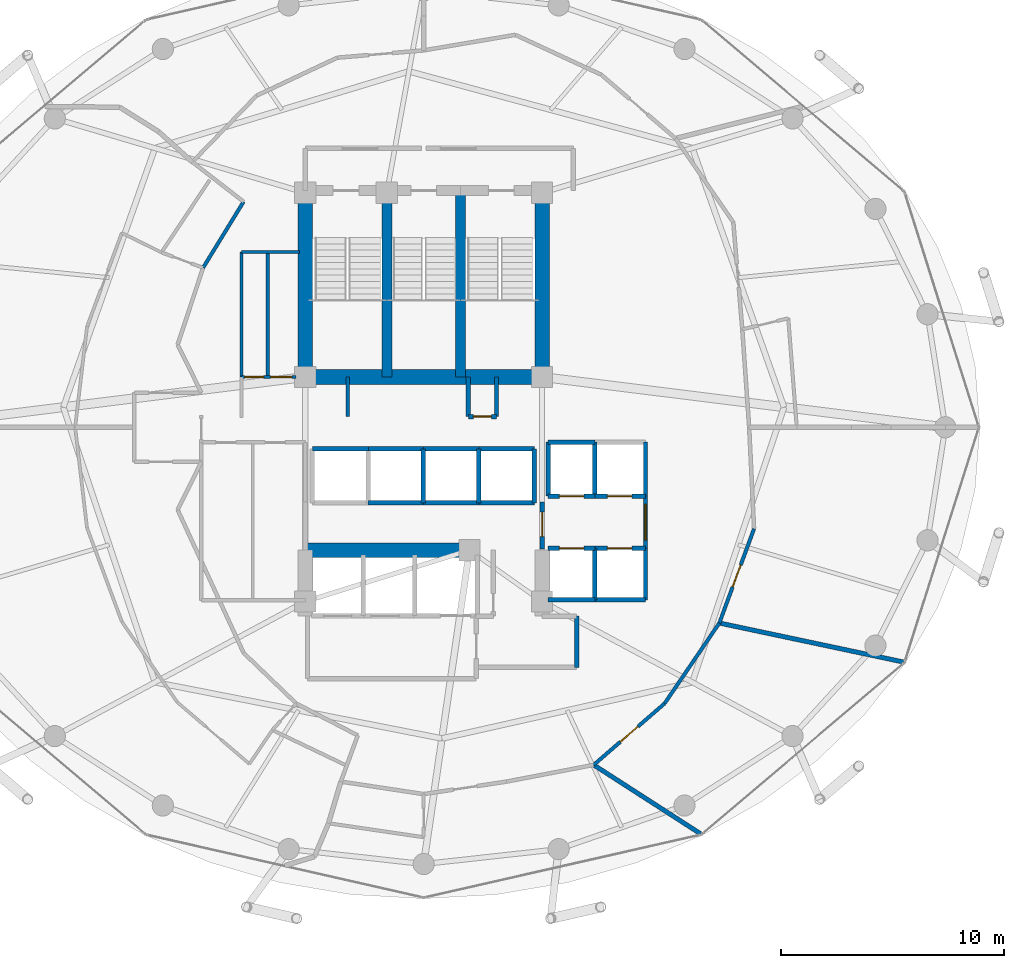
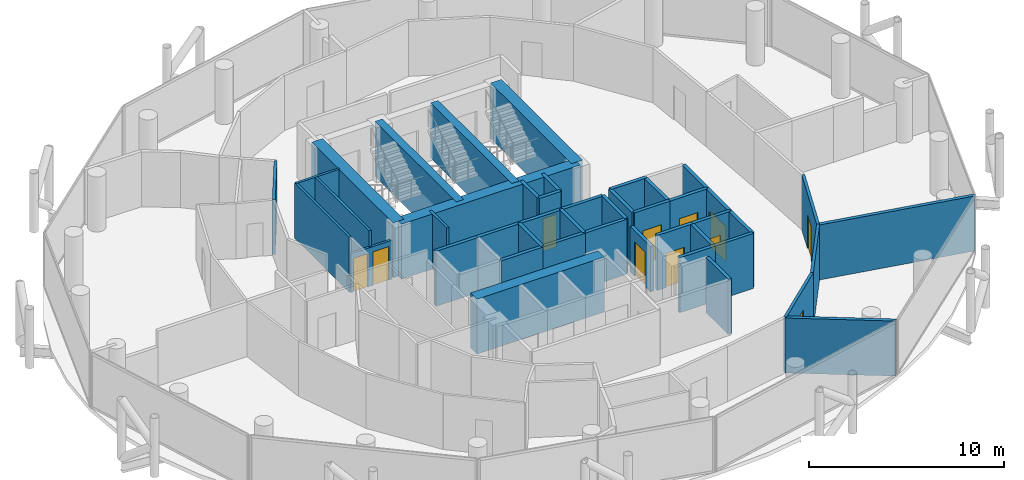
# One storey, part 23 of 26: 45 walls, 11 doors, 11 openings.
"""IFC4 building model written with IfcOpenShell, lengths in metres."""

from ifc_helpers import new_model, si_unit, direction, frame, frame_2d, origin, place, context, subcontext, project, spatial, rectangle, extrude, material, layer, layer_set, type_object, element, fill, save


model = new_model("IFC4")

# Units and contexts
model_context = context("Model", 3, precision=1e-05, world=origin(), true_north=direction((0.0, 1.0)))
body_context = subcontext(model_context, "Body", "Model", "MODEL_VIEW")
ifc_project = project(units=[si_unit("LENGTHUNIT", "METRE"), si_unit("AREAUNIT", "SQUARE_METRE"), si_unit("VOLUMEUNIT", "CUBIC_METRE"), si_unit("PLANEANGLEUNIT", "RADIAN"), si_unit("MASSUNIT", "GRAM", prefix="KILO")], contexts=[model_context])

# Site, building, storey
site_placement = place(None, origin())
site = spatial("IfcSite", under=ifc_project, at=site_placement, CompositionType="ELEMENT")
building_placement = place(site_placement, origin())
building = spatial("IfcBuilding", under=site, at=building_placement, Name="Nuhasar Tower", CompositionType="ELEMENT")
storey_placement = place(building_placement, frame((0.0, 0.0, 173.75)))
storey = spatial("IfcBuildingStorey", under=building, at=storey_placement, Name="L42", CompositionType="ELEMENT", Elevation=173.75)

# Walls
ifc_material_1 = material(Name="Concrete C50/60", Category="concrete")
ifc_layer_1 = layer(ifc_material_1, 0.449951171875)
ifc_layer_set_1 = layer_set([ifc_layer_1], Name="Concrete C50/60")
wall_type_1 = type_object("IfcWallType", Name="WL-CORE-450", PredefinedType="SHEAR", material=ifc_layer_set_1)
for number, where, z_axis, x_axis, name in (
    (1, (37.35009765625, 29.050048828125, 0.0), (0.0, 0.0, 1.0), (0.0, 1.0, 0.0), "L42 Stairwell Shear Wall ST01-E"),
    (2, (40.64990234375, 29.050048828125, 0.0), (0.0, 0.0, 1.0), (0.0, 1.0, 0.0), "L42 Stairwell Shear Wall ST03-E"),
):
    element("IfcWall", number, at=place(storey_placement, frame(where, z_axis=z_axis, x_axis=x_axis)), inside=storey, type_object=wall_type_1, Name=name, PredefinedType="SHEAR", context=body_context, shape_type="SweptSolid", body=[
        extrude(rectangle(XDim=8.349853515625, YDim=0.449951171875, at=frame_2d((4.1748046875, 0.0))), origin(), (0.0, 0.0, 1.0), 3.449951171875),
    ])
ifc_material_2 = material(Name="Concrete C65/80", Category="concrete")
ifc_layer_2 = layer(ifc_material_2, 0.64990234375)
ifc_layer_set_2 = layer_set([ifc_layer_2], Name="Concrete C65/80")
wall_type_2 = type_object("IfcWallType", Name="WL-CORE-650", PredefinedType="SHEAR", material=ifc_layer_set_2)
for number, where, z_axis, x_axis, name in (
    (3, (33.699951171875, 29.050048828125, 0.0), (0.0, 0.0, 1.0), (0.0, 1.0, 0.0), "L42 Core Shear Wall CW-NW CW-650"),
    (4, (44.300048828125, 29.050048828125, 0.0), (0.0, 0.0, 1.0), (0.0, 1.0, 0.0), "L42 Core Shear Wall CW-NE CW-650"),
):
    element("IfcWall", number, at=place(storey_placement, frame(where, z_axis=z_axis, x_axis=x_axis)), inside=storey, type_object=wall_type_2, Name=name, PredefinedType="SHEAR", context=body_context, shape_type="SweptSolid", body=[
        extrude(rectangle(XDim=8.349853515625, YDim=0.64990234375, at=frame_2d((4.1748046875, 0.0))), origin(), (0.0, 0.0, 1.0), 3.449951171875),
    ])
wall_1_placement = place(storey_placement, frame((33.699951171875, 29.050048828125, 0.0), z_axis=(0.0, 0.0, 1.0), x_axis=(1.0, 0.0, 0.0)))
element("IfcWall", 5, at=wall_1_placement, inside=storey, type_object=wall_type_2, Name="L42 Core Shear Wall CW-N1 CW-650", PredefinedType="SHEAR", context=body_context, shape_type="SweptSolid", body=[
    extrude(rectangle(XDim=10.60009765625, YDim=0.64990234375, at=frame_2d((5.300048828125, 0.0))), origin(), (0.0, 0.0, 1.0), 3.449951171875),
])
wall_2_placement = place(storey_placement, frame((33.699951171875, 21.300048828125, 0.0), z_axis=(0.0, 0.0, 1.0), x_axis=(1.0, 0.0, 0.0)))
element("IfcWall", 6, at=wall_2_placement, inside=storey, type_object=wall_type_2, Name="L42 Core Shear Wall CW-S1 CW-650", PredefinedType="SHEAR", context=body_context, shape_type="SweptSolid", body=[
    extrude(rectangle(XDim=7.550048828125, YDim=0.64990234375, at=frame_2d((3.77490234375, 0.0))), origin(), (0.0, 0.0, 1.0), 3.449951171875),
])

# Wall, opening, door
ifc_material_3 = material(Name="Gypsum Board", Category="gypsum")
ifc_layer_3 = layer(ifc_material_3, 0.159912109375)
ifc_layer_set_3 = layer_set([ifc_layer_3], Name="Gypsum Board")
wall_type_3 = type_object("IfcWallType", Name="WL-CORR-160", PredefinedType="PARTITIONING", material=ifc_layer_set_3)
wall_3_placement = place(storey_placement, frame((49.782958984375, 14.43505859375, 0.0), z_axis=(0.0, 0.0, 1.0), x_axis=(-0.755896308725, -0.65469135511, 0.0)))
wall_3 = element("IfcWall", 7, at=wall_3_placement, inside=storey, type_object=wall_type_3, Name="L42 Interior Partition CORR-40", PredefinedType="PARTITIONING", context=body_context, shape_type="SweptSolid", body=[
    extrude(rectangle(XDim=4.197509765625, YDim=0.159912109375, at=frame_2d((2.0986328125, 0.0))), origin(), (0.0, 0.0, 1.0), 3.449951171875),
])
opening_1_placement = place(wall_3_placement, frame((1.573974609375, 0.0, 0.0)))
opening_1 = element("IfcOpeningElement", 8, at=opening_1_placement, cuts=wall_3, Name="Opening DU-01", PredefinedType="OPENING", context=body_context, shape_type="SweptSolid", body=[
    extrude(rectangle(XDim=1.050048828125, YDim=2.14990234375, at=frame_2d((0.52490234375, 1.074951171875))), frame((0.0, 0.08984375, 0.0), z_axis=(0.0, -1.0, 0.0), x_axis=(1.0, 0.0, 0.0)), (0.0, 0.0, 1.0), 0.179931640625),
])
ifc_material_4 = material(Name="Timber Oak", Category="wood")
door_type_1 = type_object("IfcDoorType", Name="DR-SUITE-FD60-1050", OperationType="NOTDEFINED", PredefinedType="DOOR", material=ifc_material_4)
door_1_placement = place(opening_1_placement, origin())
door_1 = element("IfcDoor", 9, at=door_1_placement, inside=storey, type_object=door_type_1, Name="L42 Artisan Gift Boutique Entrance Door", OperationType="SINGLE_SWING_RIGHT", OverallHeight=2.14990234375, OverallWidth=1.050048828125, PredefinedType="DOOR", context=body_context, shape_type="SweptSolid", body=[
    extrude(rectangle(XDim=1.050048828125, YDim=2.14990234375, at=frame_2d((0.52490234375, 1.074951171875))), frame((0.0, 0.02490234375, 0.0), z_axis=(0.0, -1.0, 0.0), x_axis=(1.0, 0.0, 0.0)), (0.0, 0.0, 1.0), 0.050048828125),
])
fill(opening_1, door_1)

# Wall
wall_4_placement = place(storey_placement, frame((49.782958984375, 14.43505859375, 0.0), z_axis=(0.0, 0.0, 1.0), x_axis=(0.562637868463, 0.826703471005, 0.0)))
element("IfcWall", 10, at=wall_4_placement, inside=storey, type_object=wall_type_3, Name="L42 Interior Partition CORR-42", PredefinedType="PARTITIONING", context=body_context, shape_type="SweptSolid", body=[
    extrude(rectangle(XDim=4.3583984375, YDim=0.159912109375, at=frame_2d((2.17919921875, 0.0))), origin(), (0.0, 0.0, 1.0), 3.449951171875),
])

# Wall, opening, door
wall_5_placement = place(storey_placement, frame((53.7880859375, 22.256103515625, 0.0), z_axis=(0.0, 0.0, 1.0), x_axis=(-0.345503984286, -0.938417282898, 0.0)))
wall_5 = element("IfcWall", 11, at=wall_5_placement, inside=storey, type_object=wall_type_3, Name="L42 Interior Partition CORR-44", PredefinedType="PARTITIONING", context=body_context, shape_type="SweptSolid", body=[
    extrude(rectangle(XDim=4.494873046875, YDim=0.159912109375, at=frame_2d((2.24755859375, 0.0))), origin(), (0.0, 0.0, 1.0), 3.449951171875),
])
opening_2_placement = place(wall_5_placement, frame((1.721923828125, 0.0, 0.0)))
opening_2 = element("IfcOpeningElement", 12, at=opening_2_placement, cuts=wall_5, Name="Opening DU-01", PredefinedType="OPENING", context=body_context, shape_type="SweptSolid", body=[
    extrude(rectangle(XDim=1.050048828125, YDim=2.14990234375, at=frame_2d((0.52490234375, 1.074951171875))), frame((0.0, 0.08984375, 0.0), z_axis=(0.0, -1.0, 0.0), x_axis=(1.0, 0.0, 0.0)), (0.0, 0.0, 1.0), 0.179931640625),
])
door_2_placement = place(opening_2_placement, origin())
door_2 = element("IfcDoor", 13, at=door_2_placement, inside=storey, type_object=door_type_1, Name="L42 Red Sea Pearl Showroom Entrance Door", OperationType="SINGLE_SWING_RIGHT", OverallHeight=2.14990234375, OverallWidth=1.050048828125, PredefinedType="DOOR", context=body_context, shape_type="SweptSolid", body=[
    extrude(rectangle(XDim=1.050048828125, YDim=2.14990234375, at=frame_2d((0.52490234375, 1.074951171875))), frame((0.0, 0.02490234375, 0.0), z_axis=(0.0, -1.0, 0.0), x_axis=(1.0, 0.0, 0.0)), (0.0, 0.0, 1.0), 0.050048828125),
])
fill(opening_2, door_2)

# Wall
wall_6_placement = place(storey_placement, frame((30.93896484375, 36.89697265625, 0.0), z_axis=(0.0, 0.0, 1.0), x_axis=(-0.522486120877, -0.852647789823, 0.0)))
element("IfcWall", 14, at=wall_6_placement, inside=storey, type_object=wall_type_3, Name="L42 Interior Partition HWEST-CORE-N-18", PredefinedType="PARTITIONING", context=body_context, shape_type="SweptSolid", body=[
    extrude(rectangle(XDim=3.468017578125, YDim=0.159912109375, at=frame_2d((1.73388671875, 0.0))), origin(), (0.0, 0.0, 1.0), 3.449951171875),
])

# Wall, opening, door
ifc_material_5 = material(Name="Concrete C45/55", Category="concrete")
ifc_layer_4 = layer(ifc_material_5, 0.199951171875)
ifc_layer_set_4 = layer_set([ifc_layer_4], Name="Concrete C45/55")
wall_type_4 = type_object("IfcWallType", Name="WL-LOBBY-200", PredefinedType="SOLIDWALL", material=ifc_layer_set_4)
wall_7_placement = place(storey_placement, frame((48.929931640625, 21.3798828125, 0.0), z_axis=(0.0, 0.0, 1.0), x_axis=(0.0, 1.0, 0.0)))
wall_7 = element("IfcWall", 15, at=wall_7_placement, inside=storey, type_object=wall_type_4, Name="L42 Interior Partition LLBM-E", PredefinedType="SOLIDWALL", context=body_context, shape_type="SweptSolid", body=[
    extrude(rectangle(XDim=2.340087890625, YDim=0.199951171875, at=frame_2d((1.169921875, 0.0))), origin(), (0.0, 0.0, 1.0), 3.449951171875),
])
opening_3_placement = place(wall_7_placement, frame((0.3701171875, 0.0, 0.0)))
opening_3 = element("IfcOpeningElement", 16, at=opening_3_placement, cuts=wall_7, Name="Opening DC-01", PredefinedType="OPENING", context=body_context, shape_type="SweptSolid", body=[
    extrude(rectangle(XDim=1.60009765625, YDim=2.199951171875, at=frame_2d((0.800048828125, 1.10009765625))), frame((0.0, 0.10986328125, 0.0), z_axis=(0.0, -1.0, 0.0), x_axis=(1.0, 0.0, 0.0)), (0.0, 0.0, 1.0), 0.219970703125),
])
ifc_material_6 = material(Name="Steel S355", Category="steel")
door_type_2 = type_object("IfcDoorType", Name="DR-CORR-FD60-1600", OperationType="DOUBLE_DOOR_SINGLE_SWING", PredefinedType="DOOR", material=ifc_material_6)
door_3_placement = place(opening_3_placement, origin())
door_3 = element("IfcDoor", 17, at=door_3_placement, inside=storey, type_object=door_type_2, Name="L42 Mid-Rise Lift Lobby East Entry", OperationType="DOUBLE_DOOR_SINGLE_SWING", OverallHeight=2.199951171875, OverallWidth=1.60009765625, PredefinedType="DOOR", context=body_context, shape_type="SweptSolid", body=[
    extrude(rectangle(XDim=1.60009765625, YDim=2.199951171875, at=frame_2d((0.800048828125, 1.10009765625))), frame((0.0, 0.02490234375, 0.0), z_axis=(0.0, -1.0, 0.0), x_axis=(1.0, 0.0, 0.0)), (0.0, 0.0, 1.0), 0.050048828125),
])
fill(opening_3, door_3)

wall_8_placement = place(storey_placement, frame((44.300048828125, 21.35009765625, 0.0), z_axis=(0.0, 0.0, 1.0), x_axis=(0.0, 1.0, 0.0)))
wall_8 = element("IfcWall", 18, at=wall_8_placement, inside=storey, type_object=wall_type_4, Name="L42 Interior Partition LLBH-E", PredefinedType="SOLIDWALL", context=body_context, shape_type="SweptSolid", body=[
    extrude(rectangle(XDim=2.099853515625, YDim=0.199951171875, at=frame_2d((1.0498046875, 0.0))), origin(), (0.0, 0.0, 1.0), 2.8349609375),
])
opening_4_placement = place(wall_8_placement, frame((0.550048828125, 0.0, 0.0)))
opening_4 = element("IfcOpeningElement", 19, at=opening_4_placement, cuts=wall_8, Name="Opening DS-02", PredefinedType="OPENING", context=body_context, shape_type="SweptSolid", body=[
    extrude(rectangle(XDim=1.10009765625, YDim=2.14990234375, at=frame_2d((0.550048828125, 1.074951171875))), frame((0.0, 0.10986328125, 0.0), z_axis=(0.0, -1.0, 0.0), x_axis=(1.0, 0.0, 0.0)), (0.0, 0.0, 1.0), 0.219970703125),
])
door_type_3 = type_object("IfcDoorType", Name="DR-FFL-FD120-1100", OperationType="NOTDEFINED", PredefinedType="DOOR", material=ifc_material_6)
door_4_placement = place(opening_4_placement, origin())
door_4 = element("IfcDoor", 20, at=door_4_placement, inside=storey, type_object=door_type_3, Name="L42 High-Rise Lobby East Door", OperationType="SINGLE_SWING_RIGHT", OverallHeight=2.14990234375, OverallWidth=1.10009765625, PredefinedType="DOOR", context=body_context, shape_type="SweptSolid", body=[
    extrude(rectangle(XDim=1.10009765625, YDim=2.14990234375, at=frame_2d((0.550048828125, 1.074951171875))), frame((0.0, 0.02490234375, 0.0), z_axis=(0.0, -1.0, 0.0), x_axis=(1.0, 0.0, 0.0)), (0.0, 0.0, 1.0), 0.050048828125),
])
fill(opening_4, door_4)

# Walls
wall_9_placement = place(storey_placement, frame((45.85009765625, 16.050048828125, 0.0), z_axis=(0.0, 0.0, 1.0), x_axis=(0.0, 1.0, 0.0)))
element("IfcWall", 21, at=wall_9_placement, inside=storey, type_object=wall_type_4, Name="L42 Interior Partition SVLV-E", PredefinedType="SOLIDWALL", context=body_context, shape_type="SweptSolid", body=[
    extrude(rectangle(XDim=2.300048828125, YDim=0.199951171875, at=frame_2d((1.14990234375, 0.0))), origin(), (0.0, 0.0, 1.0), 3.449951171875),
])
ifc_layer_5 = layer(ifc_material_5, 0.199951171875)
ifc_layer_set_5 = layer_set([ifc_layer_5], Name="Concrete C45/55")
wall_type_5 = type_object("IfcWallType", Name="WL-SHAFT-200", PredefinedType="SOLIDWALL", material=ifc_layer_set_5)
for number, where, z_axis, x_axis, name in (
    (22, (41.0, 27.280029296875, 0.0), (0.0, 0.0, 1.0), (0.0, 1.0, 0.0), "L42 Interior Partition RSRN-W"),
    (23, (42.260009765625, 27.280029296875, 0.0), (0.0, 0.0, 1.0), (0.0, 1.0, 0.0), "L42 Interior Partition RSRN-E"),
):
    element("IfcWall", number, at=place(storey_placement, frame(where, z_axis=z_axis, x_axis=x_axis)), inside=storey, type_object=wall_type_5, Name=name, PredefinedType="SOLIDWALL", context=body_context, shape_type="SweptSolid", body=[
        extrude(rectangle(XDim=1.77001953125, YDim=0.199951171875, at=frame_2d((0.885009765625, 0.0))), origin(), (0.0, 0.0, 1.0), 3.449951171875),
    ])

# Wall, opening, door
wall_10_placement = place(storey_placement, frame((41.0, 27.280029296875, 0.0), z_axis=(0.0, 0.0, 1.0), x_axis=(1.0, 0.0, 0.0)))
wall_10 = element("IfcWall", 24, at=wall_10_placement, inside=storey, type_object=wall_type_5, Name="L42 Interior Partition RSRN-S", PredefinedType="SOLIDWALL", context=body_context, shape_type="SweptSolid", body=[
    extrude(rectangle(XDim=1.260009765625, YDim=0.199951171875, at=frame_2d((0.6298828125, 0.0))), origin(), (0.0, 0.0, 1.0), 3.449951171875),
])
opening_5_placement = place(wall_10_placement, frame((0.22998046875, 0.0, 0.0)))
opening_5 = element("IfcOpeningElement", 25, at=opening_5_placement, cuts=wall_10, Name="Opening DM-01", PredefinedType="OPENING", context=body_context, shape_type="SweptSolid", body=[
    extrude(rectangle(XDim=0.800048828125, YDim=2.050048828125, at=frame_2d((0.39990234375, 1.02490234375))), frame((0.0, 0.10986328125, 0.0), z_axis=(0.0, -1.0, 0.0), x_axis=(1.0, 0.0, 0.0)), (0.0, 0.0, 1.0), 0.219970703125),
])
door_type_4 = type_object("IfcDoorType", Name="DR-RISER-FD60-800", OperationType="NOTDEFINED", PredefinedType="DOOR", material=ifc_material_6)
door_5_placement = place(opening_5_placement, origin())
door_5 = element("IfcDoor", 26, at=door_5_placement, inside=storey, type_object=door_type_4, Name="L42 North Smoke Riser Door", OperationType="SINGLE_SWING_RIGHT", OverallHeight=2.050048828125, OverallWidth=0.800048828125, PredefinedType="DOOR", context=body_context, shape_type="SweptSolid", body=[
    extrude(rectangle(XDim=0.800048828125, YDim=2.050048828125, at=frame_2d((0.39990234375, 1.02490234375))), frame((0.0, 0.02490234375, 0.0), z_axis=(0.0, -1.0, 0.0), x_axis=(1.0, 0.0, 0.0)), (0.0, 0.0, 1.0), 0.050048828125),
])
fill(opening_5, door_5)

wall_11_placement = place(storey_placement, frame((44.570068359375, 23.719970703125, 0.0), z_axis=(0.0, 0.0, 1.0), x_axis=(1.0, 0.0, 0.0)))
wall_11 = element("IfcWall", 27, at=wall_11_placement, inside=storey, type_object=wall_type_5, Name="L42 Interior Partition SHF-PL-M01-S", PredefinedType="SOLIDWALL", context=body_context, shape_type="SweptSolid", body=[
    extrude(rectangle(XDim=2.10986328125, YDim=0.199951171875, at=frame_2d((1.054931640625, 0.0))), origin(), (0.0, 0.0, 1.0), 3.449951171875),
])
opening_6_placement = place(wall_11_placement, frame((0.5048828125, 0.0, 0.0)))
opening_6 = element("IfcOpeningElement", 28, at=opening_6_placement, cuts=wall_11, Name="Opening LD-M01", PredefinedType="OPENING", context=body_context, shape_type="SweptSolid", body=[
    extrude(rectangle(XDim=1.10009765625, YDim=2.14990234375, at=frame_2d((0.550048828125, 1.074951171875))), frame((0.0, 0.10986328125, 0.0), z_axis=(0.0, -1.0, 0.0), x_axis=(1.0, 0.0, 0.0)), (0.0, 0.0, 1.0), 0.219970703125),
])
ifc_material_7 = material(Name="Stainless Steel 316L", Category="steel")
door_type_5 = type_object("IfcDoorType", Name="LD-PAX-1100", OperationType="DOUBLE_DOOR_SLIDING", PredefinedType="DOOR", material=ifc_material_7)
door_6_placement = place(opening_6_placement, origin())
door_6 = element("IfcDoor", 29, at=door_6_placement, inside=storey, type_object=door_type_5, Name="L42 Lift Landing Door PL-M01", OperationType="DOUBLE_DOOR_SLIDING", OverallHeight=2.14990234375, OverallWidth=1.10009765625, PredefinedType="DOOR", context=body_context, shape_type="SweptSolid", body=[
    extrude(rectangle(XDim=1.10009765625, YDim=2.14990234375, at=frame_2d((0.550048828125, 1.074951171875))), frame((0.0, 0.02490234375, 0.0), z_axis=(0.0, -1.0, 0.0), x_axis=(1.0, 0.0, 0.0)), (0.0, 0.0, 1.0), 0.050048828125),
])
fill(opening_6, door_6)

# Walls
wall_12_placement = place(storey_placement, frame((44.570068359375, 26.1298828125, 0.0), z_axis=(0.0, 0.0, 1.0), x_axis=(1.0, 0.0, 0.0)))
element("IfcWall", 30, at=wall_12_placement, inside=storey, type_object=wall_type_5, Name="L42 Interior Partition SHF-PL-M01-N", PredefinedType="SOLIDWALL", context=body_context, shape_type="SweptSolid", body=[
    extrude(rectangle(XDim=2.10986328125, YDim=0.199951171875, at=frame_2d((1.054931640625, 0.0))), origin(), (0.0, 0.0, 1.0), 3.449951171875),
])
for number, where, z_axis, x_axis, name in (
    (31, (44.570068359375, 23.719970703125, 0.0), (0.0, 0.0, 1.0), (0.0, 1.0, 0.0), "L42 Interior Partition SHF-PL-M01-W"),
    (32, (46.64990234375, 23.719970703125, 0.0), (0.0, 0.0, 1.0), (0.0, 1.0, 0.0), "L42 Interior Partition SHF-PL-M01-E"),
):
    element("IfcWall", number, at=place(storey_placement, frame(where, z_axis=z_axis, x_axis=x_axis)), inside=storey, type_object=wall_type_5, Name=name, PredefinedType="SOLIDWALL", context=body_context, shape_type="SweptSolid", body=[
        extrude(rectangle(XDim=2.409912109375, YDim=0.199951171875, at=frame_2d((1.205078125, 0.0))), origin(), (0.0, 0.0, 1.0), 3.449951171875),
    ])

# Wall, opening, door
wall_13_placement = place(storey_placement, frame((46.6201171875, 23.719970703125, 0.0), z_axis=(0.0, 0.0, 1.0), x_axis=(1.0, 0.0, 0.0)))
wall_13 = element("IfcWall", 33, at=wall_13_placement, inside=storey, type_object=wall_type_5, Name="L42 Interior Partition SHF-PL-M02-S", PredefinedType="SOLIDWALL", context=body_context, shape_type="SweptSolid", body=[
    extrude(rectangle(XDim=2.309814453125, YDim=0.199951171875, at=frame_2d((1.15478515625, 0.0))), origin(), (0.0, 0.0, 1.0), 3.449951171875),
])
opening_7_placement = place(wall_13_placement, frame((0.60498046875, 0.0, 0.0)))
opening_7 = element("IfcOpeningElement", 34, at=opening_7_placement, cuts=wall_13, Name="Opening LD-M02", PredefinedType="OPENING", context=body_context, shape_type="SweptSolid", body=[
    extrude(rectangle(XDim=1.10009765625, YDim=2.14990234375, at=frame_2d((0.550048828125, 1.074951171875))), frame((0.0, 0.10986328125, 0.0), z_axis=(0.0, -1.0, 0.0), x_axis=(1.0, 0.0, 0.0)), (0.0, 0.0, 1.0), 0.219970703125),
])
door_7_placement = place(opening_7_placement, origin())
door_7 = element("IfcDoor", 35, at=door_7_placement, inside=storey, type_object=door_type_5, Name="L42 Lift Landing Door PL-M02", OperationType="DOUBLE_DOOR_SLIDING", OverallHeight=2.14990234375, OverallWidth=1.10009765625, PredefinedType="DOOR", context=body_context, shape_type="SweptSolid", body=[
    extrude(rectangle(XDim=1.10009765625, YDim=2.14990234375, at=frame_2d((0.550048828125, 1.074951171875))), frame((0.0, 0.02490234375, 0.0), z_axis=(0.0, -1.0, 0.0), x_axis=(1.0, 0.0, 0.0)), (0.0, 0.0, 1.0), 0.050048828125),
])
fill(opening_7, door_7)

# Walls
wall_14_placement = place(storey_placement, frame((48.929931640625, 23.719970703125, 0.0), z_axis=(0.0, 0.0, 1.0), x_axis=(0.0, 1.0, 0.0)))
element("IfcWall", 36, at=wall_14_placement, inside=storey, type_object=wall_type_5, Name="L42 Interior Partition SHF-PL-M02-E", PredefinedType="SOLIDWALL", context=body_context, shape_type="SweptSolid", body=[
    extrude(rectangle(XDim=2.409912109375, YDim=0.199951171875, at=frame_2d((1.205078125, 0.0))), origin(), (0.0, 0.0, 1.0), 3.449951171875),
])
wall_15_placement = place(storey_placement, frame((44.570068359375, 19.070068359375, 0.0), z_axis=(0.0, 0.0, 1.0), x_axis=(1.0, 0.0, 0.0)))
element("IfcWall", 37, at=wall_15_placement, inside=storey, type_object=wall_type_5, Name="L42 Interior Partition SHF-PL-M03-S", PredefinedType="SOLIDWALL", context=body_context, shape_type="SweptSolid", body=[
    extrude(rectangle(XDim=2.10986328125, YDim=0.199951171875, at=frame_2d((1.054931640625, 0.0))), origin(), (0.0, 0.0, 1.0), 3.449951171875),
])

# Wall, opening, door
wall_16_placement = place(storey_placement, frame((44.570068359375, 21.3798828125, 0.0), z_axis=(0.0, 0.0, 1.0), x_axis=(1.0, 0.0, 0.0)))
wall_16 = element("IfcWall", 38, at=wall_16_placement, inside=storey, type_object=wall_type_5, Name="L42 Interior Partition SHF-PL-M03-N", PredefinedType="SOLIDWALL", context=body_context, shape_type="SweptSolid", body=[
    extrude(rectangle(XDim=2.10986328125, YDim=0.199951171875, at=frame_2d((1.054931640625, 0.0))), origin(), (0.0, 0.0, 1.0), 3.449951171875),
])
opening_8_placement = place(wall_16_placement, frame((0.5048828125, 0.0, 0.0)))
opening_8 = element("IfcOpeningElement", 39, at=opening_8_placement, cuts=wall_16, Name="Opening LD-M03", PredefinedType="OPENING", context=body_context, shape_type="SweptSolid", body=[
    extrude(rectangle(XDim=1.10009765625, YDim=2.14990234375, at=frame_2d((0.550048828125, 1.074951171875))), frame((0.0, 0.10986328125, 0.0), z_axis=(0.0, -1.0, 0.0), x_axis=(1.0, 0.0, 0.0)), (0.0, 0.0, 1.0), 0.219970703125),
])
door_8_placement = place(opening_8_placement, origin())
door_8 = element("IfcDoor", 40, at=door_8_placement, inside=storey, type_object=door_type_5, Name="L42 Lift Landing Door PL-M03", OperationType="DOUBLE_DOOR_SLIDING", OverallHeight=2.14990234375, OverallWidth=1.10009765625, PredefinedType="DOOR", context=body_context, shape_type="SweptSolid", body=[
    extrude(rectangle(XDim=1.10009765625, YDim=2.14990234375, at=frame_2d((0.550048828125, 1.074951171875))), frame((0.0, 0.02490234375, 0.0), z_axis=(0.0, -1.0, 0.0), x_axis=(1.0, 0.0, 0.0)), (0.0, 0.0, 1.0), 0.050048828125),
])
fill(opening_8, door_8)

# Walls
for number, where, z_axis, x_axis, name in (
    (41, (46.64990234375, 19.070068359375, 0.0), (0.0, 0.0, 1.0), (0.0, 1.0, 0.0), "L42 Interior Partition SHF-PL-M03-E"),
    (42, (46.6201171875, 19.070068359375, 0.0), (0.0, 0.0, 1.0), (1.0, 0.0, 0.0), "L42 Interior Partition SHF-PL-M04-S"),
):
    element("IfcWall", number, at=place(storey_placement, frame(where, z_axis=z_axis, x_axis=x_axis)), inside=storey, type_object=wall_type_5, Name=name, PredefinedType="SOLIDWALL", context=body_context, shape_type="SweptSolid", body=[
        extrude(rectangle(XDim=2.309814453125, YDim=0.199951171875, at=frame_2d((1.15478515625, 0.0))), origin(), (0.0, 0.0, 1.0), 3.449951171875),
    ])

# Wall, opening, door
wall_17_placement = place(storey_placement, frame((46.6201171875, 21.3798828125, 0.0), z_axis=(0.0, 0.0, 1.0), x_axis=(1.0, 0.0, 0.0)))
wall_17 = element("IfcWall", 43, at=wall_17_placement, inside=storey, type_object=wall_type_5, Name="L42 Interior Partition SHF-PL-M04-N", PredefinedType="SOLIDWALL", context=body_context, shape_type="SweptSolid", body=[
    extrude(rectangle(XDim=2.309814453125, YDim=0.199951171875, at=frame_2d((1.15478515625, 0.0))), origin(), (0.0, 0.0, 1.0), 3.449951171875),
])
opening_9_placement = place(wall_17_placement, frame((0.60498046875, 0.0, 0.0)))
opening_9 = element("IfcOpeningElement", 44, at=opening_9_placement, cuts=wall_17, Name="Opening LD-M04", PredefinedType="OPENING", context=body_context, shape_type="SweptSolid", body=[
    extrude(rectangle(XDim=1.10009765625, YDim=2.14990234375, at=frame_2d((0.550048828125, 1.074951171875))), frame((0.0, 0.10986328125, 0.0), z_axis=(0.0, -1.0, 0.0), x_axis=(1.0, 0.0, 0.0)), (0.0, 0.0, 1.0), 0.219970703125),
])
door_9_placement = place(opening_9_placement, origin())
door_9 = element("IfcDoor", 45, at=door_9_placement, inside=storey, type_object=door_type_5, Name="L42 Lift Landing Door PL-M04", OperationType="DOUBLE_DOOR_SLIDING", OverallHeight=2.14990234375, OverallWidth=1.10009765625, PredefinedType="DOOR", context=body_context, shape_type="SweptSolid", body=[
    extrude(rectangle(XDim=1.10009765625, YDim=2.14990234375, at=frame_2d((0.550048828125, 1.074951171875))), frame((0.0, 0.02490234375, 0.0), z_axis=(0.0, -1.0, 0.0), x_axis=(1.0, 0.0, 0.0)), (0.0, 0.0, 1.0), 0.050048828125),
])
fill(opening_9, door_9)

# Walls
wall_18_placement = place(storey_placement, frame((48.929931640625, 19.070068359375, 0.0), z_axis=(0.0, 0.0, 1.0), x_axis=(0.0, 1.0, 0.0)))
element("IfcWall", 46, at=wall_18_placement, inside=storey, type_object=wall_type_5, Name="L42 Interior Partition SHF-PL-M04-E", PredefinedType="SOLIDWALL", context=body_context, shape_type="SweptSolid", body=[
    extrude(rectangle(XDim=2.309814453125, YDim=0.199951171875, at=frame_2d((1.15478515625, 0.0))), origin(), (0.0, 0.0, 1.0), 3.449951171875),
])
for number, where, z_axis, x_axis, name in (
    (47, (34.02001953125, 25.830078125, 0.0), (0.0, 0.0, 1.0), (1.0, 0.0, 0.0), "L42 Interior Partition SHF-PL-H01-N"),
    (48, (36.5, 23.419921875, 0.0), (0.0, 0.0, 1.0), (1.0, 0.0, 0.0), "L42 Interior Partition SHF-PL-H02-S"),
    (49, (36.5, 25.830078125, 0.0), (0.0, 0.0, 1.0), (1.0, 0.0, 0.0), "L42 Interior Partition SHF-PL-H02-N"),
):
    element("IfcWall", number, at=place(storey_placement, frame(where, z_axis=z_axis, x_axis=x_axis)), inside=storey, type_object=wall_type_5, Name=name, PredefinedType="SOLIDWALL", context=body_context, shape_type="SweptSolid", body=[
        extrude(rectangle(XDim=2.5, YDim=0.199951171875, at=frame_2d((1.25, 0.0))), origin(), (0.0, 0.0, 1.0), 3.449951171875),
    ])
wall_19_placement = place(storey_placement, frame((38.989990234375, 23.419921875, 0.0), z_axis=(0.0, 0.0, 1.0), x_axis=(0.0, 1.0, 0.0)))
element("IfcWall", 50, at=wall_19_placement, inside=storey, type_object=wall_type_5, Name="L42 Interior Partition SHF-PL-H02-E", PredefinedType="SOLIDWALL", context=body_context, shape_type="SweptSolid", body=[
    extrude(rectangle(XDim=2.41015625, YDim=0.199951171875, at=frame_2d((1.205078125, 0.0))), origin(), (0.0, 0.0, 1.0), 3.449951171875),
])
for number, where, z_axis, x_axis, name in (
    (51, (38.97998046875, 23.419921875, 0.0), (0.0, 0.0, 1.0), (1.0, 0.0, 0.0), "L42 Interior Partition SHF-PL-H03-S"),
    (52, (38.97998046875, 25.830078125, 0.0), (0.0, 0.0, 1.0), (1.0, 0.0, 0.0), "L42 Interior Partition SHF-PL-H03-N"),
):
    element("IfcWall", number, at=place(storey_placement, frame(where, z_axis=z_axis, x_axis=x_axis)), inside=storey, type_object=wall_type_5, Name=name, PredefinedType="SOLIDWALL", context=body_context, shape_type="SweptSolid", body=[
        extrude(rectangle(XDim=2.5, YDim=0.199951171875, at=frame_2d((1.25, 0.0))), origin(), (0.0, 0.0, 1.0), 3.449951171875),
    ])
wall_20_placement = place(storey_placement, frame((41.469970703125, 23.419921875, 0.0), z_axis=(0.0, 0.0, 1.0), x_axis=(0.0, 1.0, 0.0)))
element("IfcWall", 53, at=wall_20_placement, inside=storey, type_object=wall_type_5, Name="L42 Interior Partition SHF-PL-H03-E", PredefinedType="SOLIDWALL", context=body_context, shape_type="SweptSolid", body=[
    extrude(rectangle(XDim=2.41015625, YDim=0.199951171875, at=frame_2d((1.205078125, 0.0))), origin(), (0.0, 0.0, 1.0), 3.449951171875),
])
for number, where, z_axis, x_axis, name in (
    (54, (41.4599609375, 23.419921875, 0.0), (0.0, 0.0, 1.0), (1.0, 0.0, 0.0), "L42 Interior Partition SHF-PL-H04-S"),
    (55, (41.4599609375, 25.830078125, 0.0), (0.0, 0.0, 1.0), (1.0, 0.0, 0.0), "L42 Interior Partition SHF-PL-H04-N"),
):
    element("IfcWall", number, at=place(storey_placement, frame(where, z_axis=z_axis, x_axis=x_axis)), inside=storey, type_object=wall_type_5, Name=name, PredefinedType="SOLIDWALL", context=body_context, shape_type="SweptSolid", body=[
        extrude(rectangle(XDim=2.5, YDim=0.199951171875, at=frame_2d((1.25, 0.0))), origin(), (0.0, 0.0, 1.0), 3.449951171875),
    ])
wall_21_placement = place(storey_placement, frame((43.9599609375, 23.419921875, 0.0), z_axis=(0.0, 0.0, 1.0), x_axis=(0.0, 1.0, 0.0)))
element("IfcWall", 56, at=wall_21_placement, inside=storey, type_object=wall_type_5, Name="L42 Interior Partition SHF-PL-H04-E", PredefinedType="SOLIDWALL", context=body_context, shape_type="SweptSolid", body=[
    extrude(rectangle(XDim=2.41015625, YDim=0.199951171875, at=frame_2d((1.205078125, 0.0))), origin(), (0.0, 0.0, 1.0), 3.449951171875),
])
ifc_material_8 = material(Name="Concrete C40/50 precast", Category="concrete")
ifc_layer_6 = layer(ifc_material_8, 0.199951171875)
ifc_layer_set_6 = layer_set([ifc_layer_6], Name="Concrete C40/50 precast")
wall_type_6 = type_object("IfcWallType", Name="WL-UNIT-200", PredefinedType="PARTITIONING", material=ifc_layer_set_6)
wall_22_placement = place(storey_placement, frame((46.610107421875, 11.68701171875, 0.0), z_axis=(0.0, 0.0, 1.0), x_axis=(0.840593516662, -0.541666446944, 0.0)))
element("IfcWall", 57, at=wall_22_placement, inside=storey, type_object=wall_type_6, Name="L42 Interior Partition HRAD-40", PredefinedType="PARTITIONING", context=body_context, shape_type="SweptSolid", body=[
    extrude(rectangle(XDim=5.7138671875, YDim=0.199951171875, at=frame_2d((2.85693359375, 0.0))), origin(), (0.0, 0.0, 1.0), 3.449951171875),
])
wall_23_placement = place(storey_placement, frame((52.235107421875, 18.0380859375, 0.0), z_axis=(0.0, 0.0, 1.0), x_axis=(0.978281565775, -0.207280433388, 0.0)))
element("IfcWall", 58, at=wall_23_placement, inside=storey, type_object=wall_type_6, Name="L42 Interior Partition HRAD-44", PredefinedType="PARTITIONING", context=body_context, shape_type="SweptSolid", body=[
    extrude(rectangle(XDim=8.447265625, YDim=0.199951171875, at=frame_2d((4.2236328125, 0.0))), origin(), (0.0, 0.0, 1.0), 3.449951171875),
])
ifc_layer_7 = layer(ifc_material_8, 0.139892578125)
ifc_layer_set_7 = layer_set([ifc_layer_7], Name="Concrete C40/50 precast")
wall_type_7 = type_object("IfcWallType", Name="WL-WET-140", PredefinedType="PARTITIONING", material=ifc_layer_set_7)
wall_24_placement = place(storey_placement, frame((35.60009765625, 27.280029296875, 0.0), z_axis=(0.0, 0.0, 1.0), x_axis=(0.0, 1.0, 0.0)))
element("IfcWall", 59, at=wall_24_placement, inside=storey, type_object=wall_type_7, Name="L42 Interior Partition CSVC-W", PredefinedType="PARTITIONING", context=body_context, shape_type="SweptSolid", body=[
    extrude(rectangle(XDim=1.77001953125, YDim=0.139892578125, at=frame_2d((0.885009765625, 0.0))), origin(), (0.0, 0.0, 1.0), 3.449951171875),
])

# Wall, openings, doors
wall_25_placement = place(storey_placement, frame((30.85009765625, 29.050048828125, 0.0), z_axis=(0.0, 0.0, 1.0), x_axis=(1.0, 0.0, 0.0)))
wall_25 = element("IfcWall", 60, at=wall_25_placement, inside=storey, type_object=wall_type_7, Name="L42 Interior Partition K2-NW-S", PredefinedType="PARTITIONING", context=body_context, shape_type="SweptSolid", body=[
    extrude(rectangle(XDim=2.429931640625, YDim=0.139892578125, at=frame_2d((1.21484375, 0.0))), origin(), (0.0, 0.0, 1.0), 2.43994140625),
])
opening_10_placement = place(wall_25_placement, frame((0.139892578125, 0.0, 0.0)))
opening_10 = element("IfcOpeningElement", 61, at=opening_10_placement, cuts=wall_25, Name="Opening DB-01", PredefinedType="OPENING", context=body_context, shape_type="SweptSolid", body=[
    extrude(rectangle(XDim=0.85009765625, YDim=2.10009765625, at=frame_2d((0.425048828125, 1.050048828125))), frame((0.0, 0.080078125, 0.0), z_axis=(0.0, -1.0, 0.0), x_axis=(1.0, 0.0, 0.0)), (0.0, 0.0, 1.0), 0.159912109375),
])
opening_11_placement = place(wall_25_placement, frame((1.300048828125, 0.0, 0.0)))
opening_11 = element("IfcOpeningElement", 62, at=opening_11_placement, cuts=wall_25, Name="Opening DA-01", PredefinedType="OPENING", context=body_context, shape_type="SweptSolid", body=[
    extrude(rectangle(XDim=0.949951171875, YDim=2.10009765625, at=frame_2d((0.47509765625, 1.050048828125))), frame((0.0, 0.080078125, 0.0), z_axis=(0.0, -1.0, 0.0), x_axis=(1.0, 0.0, 0.0)), (0.0, 0.0, 1.0), 0.159912109375),
])
door_type_6 = type_object("IfcDoorType", Name="DR-ACCWC-950", OperationType="NOTDEFINED", PredefinedType="DOOR", material=ifc_material_4)
door_10_placement = place(opening_11_placement, origin())
door_10 = element("IfcDoor", 63, at=door_10_placement, inside=storey, type_object=door_type_6, Name="L42 NW Accessible WC Door", OperationType="SINGLE_SWING_RIGHT", OverallHeight=2.10009765625, OverallWidth=0.949951171875, PredefinedType="DOOR", context=body_context, shape_type="SweptSolid", body=[
    extrude(rectangle(XDim=0.949951171875, YDim=2.10009765625, at=frame_2d((0.47509765625, 1.050048828125))), frame((0.0, 0.02490234375, 0.0), z_axis=(0.0, -1.0, 0.0), x_axis=(1.0, 0.0, 0.0)), (0.0, 0.0, 1.0), 0.050048828125),
])
fill(opening_11, door_10)
door_type_7 = type_object("IfcDoorType", Name="DR-BATH-850", OperationType="NOTDEFINED", PredefinedType="DOOR", material=ifc_material_4)
door_11_placement = place(opening_10_placement, origin())
door_11 = element("IfcDoor", 64, at=door_11_placement, inside=storey, type_object=door_type_7, Name="L42 NW Female WC Door", OperationType="SINGLE_SWING_LEFT", OverallHeight=2.10009765625, OverallWidth=0.85009765625, PredefinedType="DOOR", context=body_context, shape_type="SweptSolid", body=[
    extrude(rectangle(XDim=0.85009765625, YDim=2.10009765625, at=frame_2d((0.425048828125, 1.050048828125))), frame((0.0, 0.02490234375, 0.0), z_axis=(0.0, -1.0, 0.0), x_axis=(1.0, 0.0, 0.0)), (0.0, 0.0, 1.0), 0.050048828125),
])
fill(opening_10, door_11)

# Walls
wall_26_placement = place(storey_placement, frame((32.02001953125, 29.050048828125, 0.0), z_axis=(0.0, 0.0, 1.0), x_axis=(0.0, 1.0, 0.0)))
element("IfcWall", 65, at=wall_26_placement, inside=storey, type_object=wall_type_7, Name="L42 Interior Partition K2-NW-V", PredefinedType="PARTITIONING", context=body_context, shape_type="SweptSolid", body=[
    extrude(rectangle(XDim=5.599853515625, YDim=0.139892578125, at=frame_2d((2.7998046875, 0.0))), origin(), (0.0, 0.0, 1.0), 3.449951171875),
])
wall_27_placement = place(storey_placement, frame((30.85009765625, 34.64990234375, 0.0), z_axis=(0.0, 0.0, 1.0), x_axis=(1.0, 0.0, 0.0)))
element("IfcWall", 66, at=wall_27_placement, inside=storey, type_object=wall_type_7, Name="L42 Interior Partition K2-NW-N", PredefinedType="PARTITIONING", context=body_context, shape_type="SweptSolid", body=[
    extrude(rectangle(XDim=2.599853515625, YDim=0.139892578125, at=frame_2d((1.2998046875, 0.0))), origin(), (0.0, 0.0, 1.0), 3.449951171875),
])
wall_28_placement = place(storey_placement, frame((30.85009765625, 29.050048828125, 0.0), z_axis=(0.0, 0.0, 1.0), x_axis=(0.0, 1.0, 0.0)))
element("IfcWall", 67, at=wall_28_placement, inside=storey, type_object=wall_type_7, Name="L42 Interior Partition K2-NW-W", PredefinedType="PARTITIONING", context=body_context, shape_type="SweptSolid", body=[
    extrude(rectangle(XDim=5.599853515625, YDim=0.139892578125, at=frame_2d((2.7998046875, 0.0))), origin(), (0.0, 0.0, 1.0), 3.449951171875),
])

save(model, "model.ifc")
